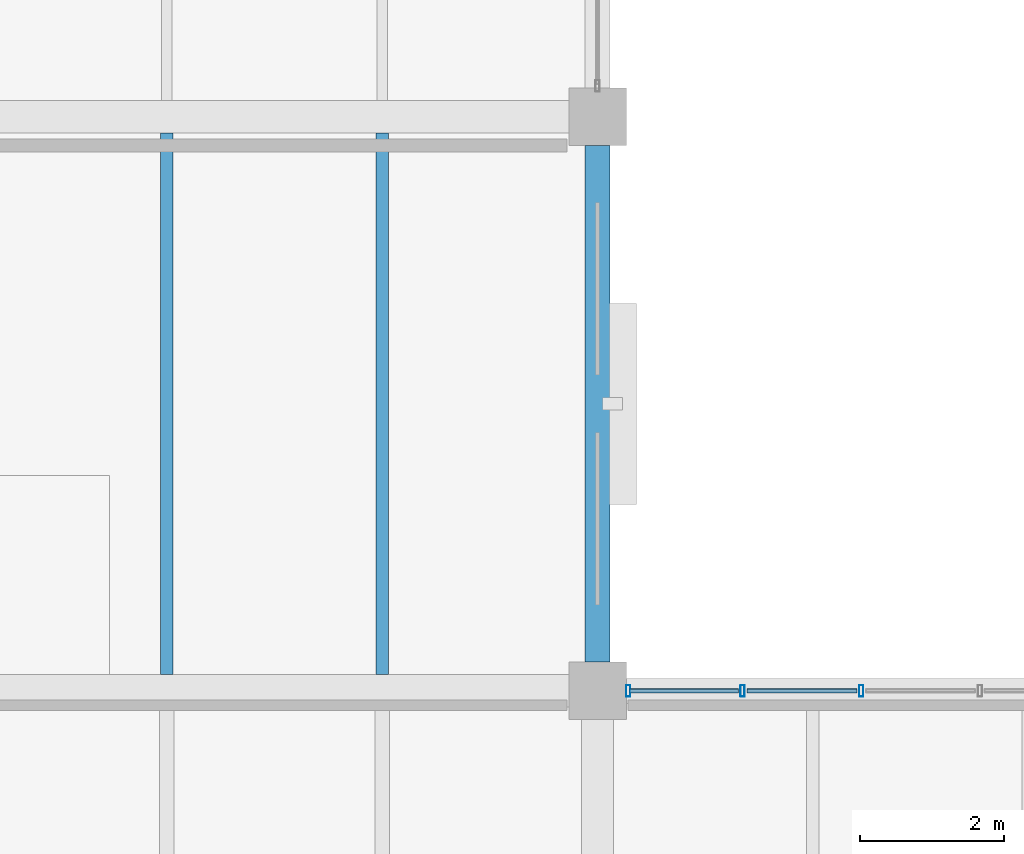
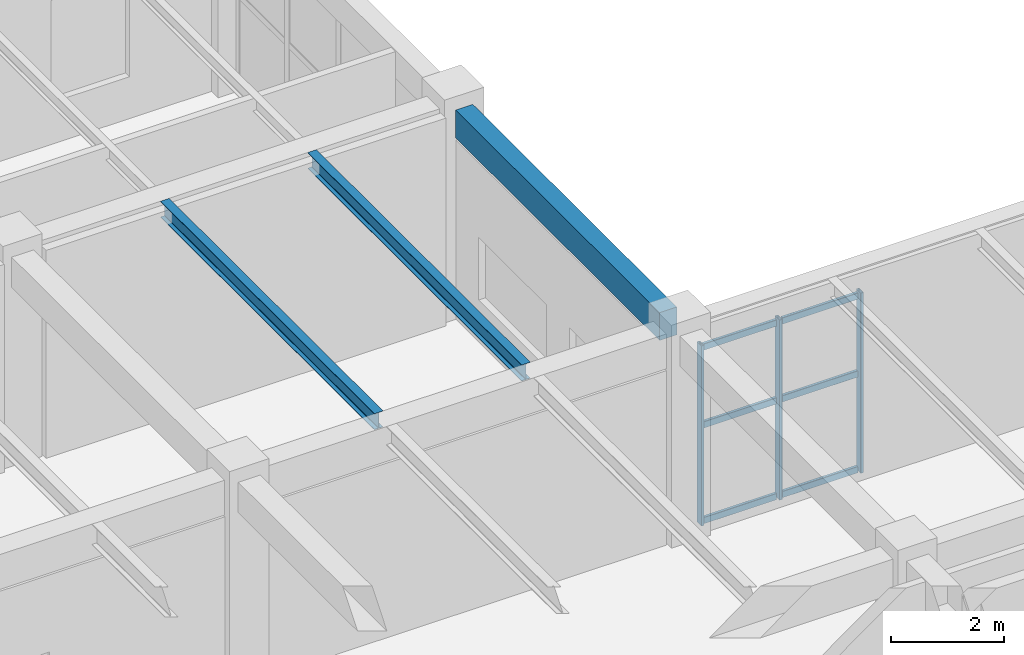
# One storey, part 93 of 178: 9 members, 3 beams, 1 element without a shape of its own.
"""IFC4 building model written with IfcOpenShell, lengths in metres."""

from ifc_helpers import new_model, si_unit, derived_unit, direction, frame, origin, origin_2d, place, context, subcontext, project, spatial, rectangle, hollow_rectangle, i_section, extrude, material, material_profile, profile_set, type_object, element, aggregate, save


model = new_model("IFC4")

# Units and contexts
model_context = context("Model", 3, precision=1e-05, world=origin(), true_north=direction((0.0, 1.0)))
body_context = subcontext(model_context, "Body", "Model", "MODEL_VIEW")
ifc_project = project(units=[si_unit("LENGTHUNIT", "METRE"), si_unit("AREAUNIT", "SQUARE_METRE"), si_unit("VOLUMEUNIT", "CUBIC_METRE"), si_unit("PLANEANGLEUNIT", "RADIAN"), si_unit("MASSUNIT", "GRAM", prefix="KILO"), derived_unit("THERMALTRANSMITTANCEUNIT", [(si_unit("MASSUNIT", "GRAM", prefix="KILO"), 1), (si_unit("TIMEUNIT", "SECOND"), -3), (si_unit("THERMODYNAMICTEMPERATUREUNIT", "KELVIN"), -1)])], contexts=[model_context])

# Site, building, storey
site_placement = place(None, origin())
site = spatial("IfcSite", under=ifc_project, at=site_placement, CompositionType="ELEMENT")
building_placement = place(site_placement, origin())
building = spatial("IfcBuilding", under=site, at=building_placement, Name="Zhenchuan Archway Interchange", CompositionType="ELEMENT")
storey_placement = place(building_placement, frame((0.0, 0.0, 5.39990234375)))
storey = spatial("IfcBuildingStorey", under=building, at=storey_placement, Name="L01", CompositionType="ELEMENT", Elevation=5.39990234375)

# Curtain wall, members
ifc_material_1 = material(Name="Anodised Aluminium", Category="aluminium")
curtain_wall_type = type_object("IfcCurtainWallType", Name="CW_UNIT_4", PredefinedType="NOTDEFINED", material=ifc_material_1)
curtain_wall_placement = place(storey_placement, origin())
curtain_wall = element("IfcCurtainWall", 1, at=curtain_wall_placement, inside=storey, type_object=curtain_wall_type, Name="Unitised curtain wall CW:L01:051", PredefinedType="NOTDEFINED")
ifc_material_profile_1 = material_profile(ifc_material_1, hollow_rectangle(XDim=0.06005859375, YDim=0.159912109375, WallThickness=0.00390625, InnerFilletRadius=0.00390625, OuterFilletRadius=0.008056640625, at=origin_2d()), Name="ALU 160x60x4")
ifc_profile_set_1 = profile_set([ifc_material_profile_1], Name="Anodised Aluminium")
member_type_1 = type_object("IfcMemberType", Name="CW_MUL_150", PredefinedType="MULLION", material=ifc_profile_set_1)
member_1_placement = place(storey_placement, frame((54.427978515625, 96.0, 0.0), z_axis=(0.0, 0.0, 1.0), x_axis=(1.0, 0.0, 0.0)))
member_1 = element("IfcMember", 2, at=member_1_placement, type_object=member_type_1, Name="CW:L01:051 mullion 0", PredefinedType="MULLION", context=body_context, shape_type="SweptSolid", body=[
    extrude(hollow_rectangle(XDim=0.06005859375, YDim=0.159912109375, WallThickness=0.00390625, InnerFilletRadius=0.00390625, OuterFilletRadius=0.008056640625, at=origin_2d()), origin(), (0.0, 0.0, 1.0), 3.880126953125),
])
member_2_placement = place(storey_placement, frame((56.020751953125, 96.0, 0.0), z_axis=(0.0, 0.0, 1.0), x_axis=(1.0, 0.0, 0.0)))
member_2 = element("IfcMember", 3, at=member_2_placement, type_object=member_type_1, Name="CW:L01:051 mullion 1", PredefinedType="MULLION", context=body_context, shape_type="SweptSolid", body=[
    extrude(hollow_rectangle(XDim=0.06005859375, YDim=0.159912109375, WallThickness=0.00390625, InnerFilletRadius=0.00390625, OuterFilletRadius=0.008056640625, at=origin_2d()), origin(), (0.0, 0.0, 1.0), 3.880126953125),
])
member_3_placement = place(storey_placement, frame((57.673583984375, 96.0, 0.0), z_axis=(0.0, 0.0, 1.0), x_axis=(1.0, 0.0, 0.0)))
member_3 = element("IfcMember", 4, at=member_3_placement, type_object=member_type_1, Name="CW:L01:051 mullion 2", PredefinedType="MULLION", context=body_context, shape_type="SweptSolid", body=[
    extrude(hollow_rectangle(XDim=0.06005859375, YDim=0.159912109375, WallThickness=0.00390625, InnerFilletRadius=0.00390625, OuterFilletRadius=0.008056640625, at=origin_2d()), origin(), (0.0, 0.0, 1.0), 3.880126953125),
])
ifc_material_profile_2 = material_profile(ifc_material_1, hollow_rectangle(XDim=0.06005859375, YDim=0.139892578125, WallThickness=0.00341796875, InnerFilletRadius=0.00341796875, OuterFilletRadius=0.007080078125, at=origin_2d()), Name="ALU 140x60x3.5")
ifc_profile_set_2 = profile_set([ifc_material_profile_2], Name="Anodised Aluminium")
member_type_2 = type_object("IfcMemberType", Name="CW_TRN_140", PredefinedType="USERDEFINED", material=ifc_profile_set_2)
member_4_placement = place(storey_placement, frame((54.447998046875, 96.0, 0.06005859375), z_axis=(1.0, 0.0, 0.0), x_axis=(0.0, 1.0, 0.0)))
member_4 = element("IfcMember", 5, at=member_4_placement, type_object=member_type_2, Name="CW:L01:051 transom 0-1", ObjectType="TRANSOM", PredefinedType="USERDEFINED", context=body_context, shape_type="SweptSolid", body=[
    extrude(hollow_rectangle(XDim=0.06005859375, YDim=0.139892578125, WallThickness=0.00341796875, InnerFilletRadius=0.00341796875, OuterFilletRadius=0.007080078125, at=origin_2d()), origin(), (0.0, 0.0, 1.0), 1.5126953125),
])
member_5_placement = place(storey_placement, frame((54.447998046875, 96.0, 2.123046875), z_axis=(1.0, 0.0, 0.0), x_axis=(0.0, 1.0, 0.0)))
member_5 = element("IfcMember", 6, at=member_5_placement, type_object=member_type_2, Name="CW:L01:051 transom 0-2", ObjectType="TRANSOM", PredefinedType="USERDEFINED", context=body_context, shape_type="SweptSolid", body=[
    extrude(hollow_rectangle(XDim=0.06005859375, YDim=0.139892578125, WallThickness=0.00341796875, InnerFilletRadius=0.00341796875, OuterFilletRadius=0.007080078125, at=origin_2d()), origin(), (0.0, 0.0, 1.0), 1.5126953125),
])
member_6_placement = place(storey_placement, frame((54.447998046875, 96.0, 3.800048828125), z_axis=(1.0, 0.0, 0.0), x_axis=(0.0, 1.0, 0.0)))
member_6 = element("IfcMember", 7, at=member_6_placement, type_object=member_type_2, Name="CW:L01:051 transom 0-3", ObjectType="TRANSOM", PredefinedType="USERDEFINED", context=body_context, shape_type="SweptSolid", body=[
    extrude(hollow_rectangle(XDim=0.06005859375, YDim=0.139892578125, WallThickness=0.00341796875, InnerFilletRadius=0.00341796875, OuterFilletRadius=0.007080078125, at=origin_2d()), origin(), (0.0, 0.0, 1.0), 1.5126953125),
])
member_7_placement = place(storey_placement, frame((56.080810546875, 96.0, 0.06005859375), z_axis=(1.0, 0.0, 0.0), x_axis=(0.0, 1.0, 0.0)))
member_7 = element("IfcMember", 8, at=member_7_placement, type_object=member_type_2, Name="CW:L01:051 transom 1-1", ObjectType="TRANSOM", PredefinedType="USERDEFINED", context=body_context, shape_type="SweptSolid", body=[
    extrude(hollow_rectangle(XDim=0.06005859375, YDim=0.139892578125, WallThickness=0.00341796875, InnerFilletRadius=0.00341796875, OuterFilletRadius=0.007080078125, at=origin_2d()), origin(), (0.0, 0.0, 1.0), 1.53271484375),
])
member_8_placement = place(storey_placement, frame((56.080810546875, 96.0, 2.123046875), z_axis=(1.0, 0.0, 0.0), x_axis=(0.0, 1.0, 0.0)))
member_8 = element("IfcMember", 9, at=member_8_placement, type_object=member_type_2, Name="CW:L01:051 transom 1-2", ObjectType="TRANSOM", PredefinedType="USERDEFINED", context=body_context, shape_type="SweptSolid", body=[
    extrude(hollow_rectangle(XDim=0.06005859375, YDim=0.139892578125, WallThickness=0.00341796875, InnerFilletRadius=0.00341796875, OuterFilletRadius=0.007080078125, at=origin_2d()), origin(), (0.0, 0.0, 1.0), 1.53271484375),
])
member_9_placement = place(storey_placement, frame((56.080810546875, 96.0, 3.800048828125), z_axis=(1.0, 0.0, 0.0), x_axis=(0.0, 1.0, 0.0)))
member_9 = element("IfcMember", 10, at=member_9_placement, type_object=member_type_2, Name="CW:L01:051 transom 1-3", ObjectType="TRANSOM", PredefinedType="USERDEFINED", context=body_context, shape_type="SweptSolid", body=[
    extrude(hollow_rectangle(XDim=0.06005859375, YDim=0.139892578125, WallThickness=0.00341796875, InnerFilletRadius=0.00341796875, OuterFilletRadius=0.007080078125, at=origin_2d()), origin(), (0.0, 0.0, 1.0), 1.53271484375),
])
aggregate(curtain_wall, [member_1, member_2, member_3, member_4, member_5, member_6, member_7, member_8, member_9])

# Beams
ifc_material_2 = material(Name="Steel Q355", Category="steel")
ifc_material_profile_3 = material_profile(ifc_material_2, i_section(OverallWidth=0.175048828125, OverallDepth=0.35009765625, WebThickness=0.007080078125, FlangeThickness=0.010986328125, FilletRadius=0.013916015625, at=origin_2d()), Name="HN 350x175")
ifc_profile_set_3 = profile_set([ifc_material_profile_3], Name="Steel Q355")
beam_type_1 = type_object("IfcBeamType", Name="JST_STL_HN350", PredefinedType="JOIST", material=ifc_profile_set_3)
for number, where, z_axis, x_axis, name in (
    (11, (48.0, 96.22509765625, 4.335205078125), (0.0, 1.0, 0.0), (-1.0, 0.0, 0.0), "Secondary joist 6-7/N-O #1 (L01)"),
    (12, (51.0, 96.22509765625, 4.335205078125), (0.0, 1.0, 0.0), (-1.0, 0.0, 0.0), "Secondary joist 6-7/N-O #2 (L01)"),
):
    element("IfcBeam", number, at=place(storey_placement, frame(where, z_axis=z_axis, x_axis=x_axis)), inside=storey, type_object=beam_type_1, Name=name, PredefinedType="JOIST", context=body_context, shape_type="SweptSolid", body=[
        extrude(i_section(OverallWidth=0.175048828125, OverallDepth=0.35009765625, WebThickness=0.007080078125, FlangeThickness=0.010986328125, FilletRadius=0.013916015625, at=origin_2d()), origin(), (0.0, 0.0, 1.0), 7.5498046875),
    ])
ifc_material_3 = material(Name="Concrete C40", Category="concrete")
ifc_material_profile_4 = material_profile(ifc_material_3, rectangle(XDim=0.35009765625, YDim=0.60009765625, at=origin_2d()), Name="RC 350x600")
ifc_profile_set_4 = profile_set([ifc_material_profile_4], Name="Concrete C40")
beam_type_2 = type_object("IfcBeamType", Name="SP_RC_350x600", PredefinedType="SPANDREL", material=ifc_profile_set_4)
beam_placement = place(storey_placement, frame((54.0, 96.39990234375, 4.210205078125), z_axis=(0.0, 1.0, 0.0), x_axis=(-1.0, 0.0, 0.0)))
element("IfcBeam", 13, at=beam_placement, inside=storey, type_object=beam_type_2, Name="Beam 7:N-O (L01)", PredefinedType="SPANDREL", context=body_context, shape_type="SweptSolid", body=[
    extrude(rectangle(XDim=0.35009765625, YDim=0.60009765625, at=origin_2d()), origin(), (0.0, 0.0, 1.0), 7.2001953125),
])

save(model, "model.ifc")
